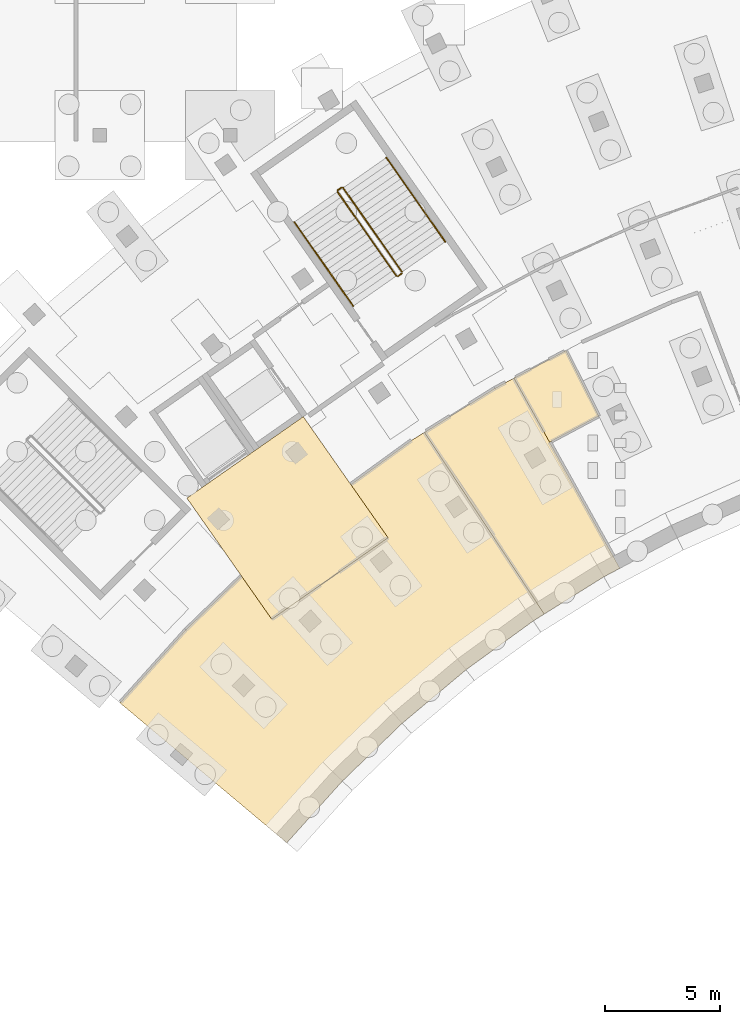
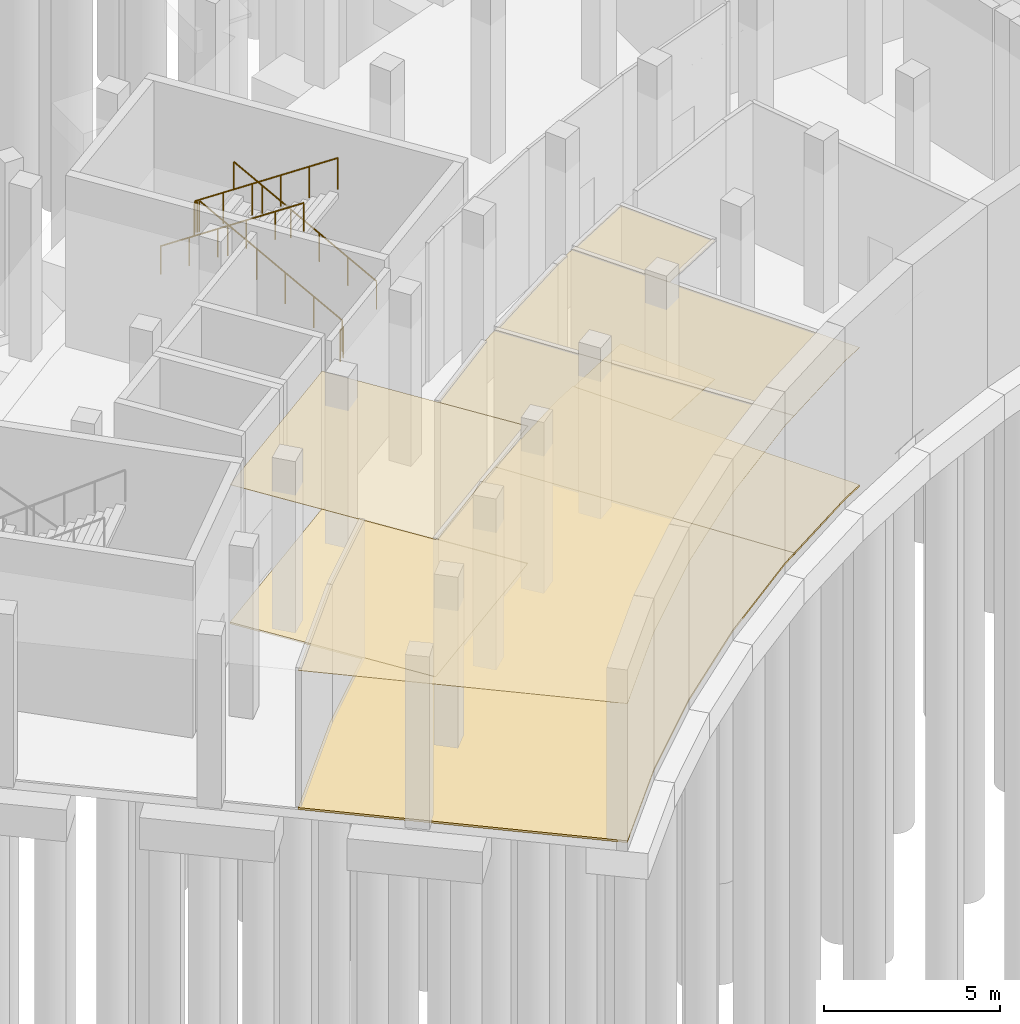
# One storey, part 37 of 66: 8 coverings, 6 railings.
"""IFC4 building model written with IfcOpenShell, lengths in metres."""

from ifc_helpers import new_model, si_unit, direction, frame, origin, origin_2d, place, context, subcontext, project, spatial, polyline, circle, outline, extrude, material, layer, layer_set, type_object, element, save


model = new_model("IFC4")

# Units and contexts
model_context = context("Model", 3, precision=1e-05, world=origin(), true_north=direction((0.0, 1.0)))
body_context = subcontext(model_context, "Body", "Model", "MODEL_VIEW")
ifc_project = project(units=[si_unit("LENGTHUNIT", "METRE"), si_unit("AREAUNIT", "SQUARE_METRE"), si_unit("VOLUMEUNIT", "CUBIC_METRE"), si_unit("PLANEANGLEUNIT", "RADIAN"), si_unit("MASSUNIT", "GRAM", prefix="KILO")], contexts=[model_context])

# Site, building, storey
site_placement = place(None, origin())
site = spatial("IfcSite", under=ifc_project, at=site_placement, CompositionType="ELEMENT")
building_placement = place(site_placement, origin())
building = spatial("IfcBuilding", under=site, at=building_placement, Name="Lunette Opera House", CompositionType="ELEMENT")
storey_placement = place(building_placement, frame((0.0, 0.0, -6.0)))
storey = spatial("IfcBuildingStorey", under=building, at=storey_placement, Name="B1", CompositionType="ELEMENT", Elevation=-6.0)

# Coverings
ifc_material_1 = material(Name="Cement screed")
ifc_layer_1 = layer(ifc_material_1, 0.070068359375)
ifc_layer_set_1 = layer_set([ifc_layer_1], Name="Cement screed")
covering_type_1 = type_object("IfcCoveringType", Name="SCREED FLOOR FINISH 70", PredefinedType="FLOORING", material=ifc_layer_set_1)
covering_1_placement = place(storey_placement, origin())
element("IfcCovering", 1, at=covering_1_placement, inside=storey, type_object=covering_type_1, Name="Floor finish Crescent Plant Room", PredefinedType="FLOORING", context=body_context, shape_type="SweptSolid", body=[
    extrude(outline(polyline([(66.922119140625, 43.110107421875), (63.986083984375, 40.97705078125), (61.205078125, 38.64404296875), (58.593994140625, 36.1220703125), (57.85498046875, 35.302001953125), (56.166015625, 33.425048828125), (52.8359375, 36.218994140625), (48.887939453125, 39.531005859375), (51.760986328125, 42.720947265625), (54.18896484375, 45.06689453125), (55.508056640625, 43.18408203125), (60.5859375, 46.739990234375), (58.9609375, 49.06103515625), (61.610107421875, 50.986083984375), (62.175048828125, 51.339111328125), (67.39990234375, 43.407958984375), (67.159912109375, 43.259033203125), (66.922119140625, 43.110107421875)])), origin(), (0.0, 0.0, 1.0), 0.070068359375),
])
covering_2_placement = place(storey_placement, origin())
element("IfcCovering", 2, at=covering_2_placement, inside=storey, type_object=covering_type_1, Name="Floor finish Refuse Store", PredefinedType="FLOORING", context=body_context, shape_type="SweptSolid", body=[
    extrude(outline(polyline([(67.39990234375, 43.407958984375), (62.175048828125, 51.339111328125), (65.25, 53.260986328125), (66.0791015625, 53.701904296875), (70.700927734375, 45.406005859375), (70.0, 45.032958984375), (67.39990234375, 43.407958984375)])), origin(), (0.0, 0.0, 1.0), 0.070068359375),
])

# Railings
ifc_material_2 = material(Name="Steel S355", Category="steel")
railing_type_1 = type_object("IfcRailingType", Name="STAIR GUARD 1100", PredefinedType="GUARDRAIL", material=ifc_material_2)
railing_1_placement = place(storey_placement, frame((61.195068359375, 58.3369140625, 0.176513671875)))
element("IfcRailing", 3, at=railing_1_placement, inside=storey, type_object=railing_type_1, Name="B1 ST2 stair guard 1", PredefinedType="GUARDRAIL", context=body_context, shape_type="SweptSolid", body=[
    extrude(circle(Radius=0.02392578125, at=origin_2d()), frame((0.0, 0.0, 1.076171875), z_axis=(-0.485196054089, 0.693031840086, 0.533190076543), x_axis=(-0.819190954639, -0.573520862601, 0.0)), (0.0, 0.0, 1.0), 5.29541015625),
    extrude(circle(Radius=0.02099609375, at=origin_2d()), origin(), (0.0, 0.0, 1.0), 1.052001953125),
    extrude(circle(Radius=0.02099609375, at=origin_2d()), frame((-0.513916015625, 0.73388671875, 0.564697265625)), (0.0, 0.0, 1.0), 1.052001953125),
    extrude(circle(Radius=0.02099609375, at=origin_2d()), frame((-1.02783203125, 1.468017578125, 1.12939453125)), (0.0, 0.0, 1.0), 1.052001953125),
    extrude(circle(Radius=0.02099609375, at=origin_2d()), frame((-1.54150390625, 2.201904296875, 1.694091796875)), (0.0, 0.0, 1.0), 1.052001953125),
    extrude(circle(Radius=0.02099609375, at=origin_2d()), frame((-2.055419921875, 2.93603515625, 2.2587890625)), (0.0, 0.0, 1.0), 1.052001953125),
    extrude(circle(Radius=0.02099609375, at=origin_2d()), frame((-2.5693359375, 3.669921875, 2.823486328125)), (0.0, 0.0, 1.0), 1.052001953125),
])
railing_2_placement = place(storey_placement, frame((58.55615234375, 62.019287109375, 3.0)))
element("IfcRailing", 4, at=railing_2_placement, inside=storey, type_object=railing_type_1, Name="B1 ST2 stair guard 2", PredefinedType="GUARDRAIL", context=body_context, shape_type="SweptSolid", body=[
    extrude(circle(Radius=0.02392578125, at=origin_2d()), frame((0.0, 0.0, 1.076171875), z_axis=(-0.819117714247, -0.573625461609, 0.0), x_axis=(0.573625461609, -0.819117714247, 0.0)), (0.0, 0.0, 1.0), 0.200927734375),
    extrude(circle(Radius=0.02099609375, at=origin_2d()), origin(), (0.0, 0.0, 1.0), 1.052001953125),
    extrude(circle(Radius=0.02099609375, at=origin_2d()), frame((-0.16455078125, -0.115234375, 0.0)), (0.0, 0.0, 1.0), 1.052001953125),
])
railing_3_placement = place(storey_placement, frame((58.37939453125, 61.83447265625, 3.176513671875)))
element("IfcRailing", 5, at=railing_3_placement, inside=storey, type_object=railing_type_1, Name="B1 ST2 stair guard 3", PredefinedType="GUARDRAIL", context=body_context, shape_type="SweptSolid", body=[
    extrude(circle(Radius=0.02392578125, at=origin_2d()), frame((0.0, 0.0, 1.076171875), z_axis=(0.485196054089, -0.693031840086, 0.533190076543), x_axis=(0.819190954639, 0.573520862601, 0.0)), (0.0, 0.0, 1.0), 5.29541015625),
    extrude(circle(Radius=0.02099609375, at=origin_2d()), origin(), (0.0, 0.0, 1.0), 1.052001953125),
    extrude(circle(Radius=0.02099609375, at=origin_2d()), frame((0.513916015625, -0.73388671875, 0.564697265625)), (0.0, 0.0, 1.0), 1.052001953125),
    extrude(circle(Radius=0.02099609375, at=origin_2d()), frame((1.02783203125, -1.468017578125, 1.12939453125)), (0.0, 0.0, 1.0), 1.052001953125),
    extrude(circle(Radius=0.02099609375, at=origin_2d()), frame((1.54150390625, -2.201904296875, 1.694091796875)), (0.0, 0.0, 1.0), 1.052001953125),
    extrude(circle(Radius=0.02099609375, at=origin_2d()), frame((2.055419921875, -2.93603515625, 2.2587890625)), (0.0, 0.0, 1.0), 1.052001953125),
    extrude(circle(Radius=0.02099609375, at=origin_2d()), frame((2.5693359375, -3.669921875, 2.823486328125)), (0.0, 0.0, 1.0), 1.052001953125),
])
railing_4_placement = place(storey_placement, frame((61.1826171875, 58.267333984375, 0.0)))
element("IfcRailing", 6, at=railing_4_placement, inside=storey, type_object=railing_type_1, Name="B1 ST2 stair guard 4", PredefinedType="GUARDRAIL", context=body_context, shape_type="SweptSolid", body=[
    extrude(circle(Radius=0.02392578125, at=origin_2d()), frame((0.0, 0.0, 1.076171875), z_axis=(-0.819289108261, -0.573380638917, 0.0), x_axis=(0.573380638917, -0.819289108261, 0.0)), (0.0, 0.0, 1.0), 0.200439453125),
    extrude(circle(Radius=0.02099609375, at=origin_2d()), origin(), (0.0, 0.0, 1.0), 1.052001953125),
    extrude(circle(Radius=0.02099609375, at=origin_2d()), frame((-0.164306640625, -0.114990234375, 0.0)), (0.0, 0.0, 1.0), 1.052001953125),
])
ifc_material_3 = material(Name="Steel S355", Category="steel")
railing_type_2 = type_object("IfcRailingType", Name="STAIR HANDRAIL 1000", PredefinedType="HANDRAIL", material=ifc_material_3)
railing_5_placement = place(storey_placement, frame((63.0791015625, 59.656005859375, 0.176513671875)))
element("IfcRailing", 7, at=railing_5_placement, inside=storey, type_object=railing_type_2, Name="B1 ST2 stair handrail 1", PredefinedType="HANDRAIL", context=body_context, shape_type="SweptSolid", body=[
    extrude(circle(Radius=0.02392578125, at=origin_2d()), frame((0.0, 0.0, 0.97607421875), z_axis=(-0.485196054089, 0.693031840086, 0.533190076543), x_axis=(-0.819190954639, -0.573520862601, 0.0)), (0.0, 0.0, 1.0), 5.29541015625),
    extrude(circle(Radius=0.02099609375, at=origin_2d()), origin(), (0.0, 0.0, 1.0), 0.951904296875),
    extrude(circle(Radius=0.02099609375, at=origin_2d()), frame((-0.513916015625, 0.73388671875, 0.564697265625)), (0.0, 0.0, 1.0), 0.951904296875),
    extrude(circle(Radius=0.02099609375, at=origin_2d()), frame((-1.02783203125, 1.468017578125, 1.12939453125)), (0.0, 0.0, 1.0), 0.951904296875),
    extrude(circle(Radius=0.02099609375, at=origin_2d()), frame((-1.54150390625, 2.201904296875, 1.694091796875)), (0.0, 0.0, 1.0), 0.951904296875),
    extrude(circle(Radius=0.02099609375, at=origin_2d()), frame((-2.055419921875, 2.93603515625, 2.2587890625)), (0.0, 0.0, 1.0), 0.951904296875),
    extrude(circle(Radius=0.02099609375, at=origin_2d()), frame((-2.5693359375, 3.669921875, 2.823486328125)), (0.0, 0.0, 1.0), 0.951904296875),
])
railing_6_placement = place(storey_placement, frame((56.495361328125, 60.515380859375, 3.176513671875)))
element("IfcRailing", 8, at=railing_6_placement, inside=storey, type_object=railing_type_2, Name="B1 ST2 stair handrail 2", PredefinedType="HANDRAIL", context=body_context, shape_type="SweptSolid", body=[
    extrude(circle(Radius=0.02392578125, at=origin_2d()), frame((0.0, 0.0, 0.97607421875), z_axis=(0.485196054089, -0.693031840086, 0.533190076543), x_axis=(0.819190954639, 0.573520862601, 0.0)), (0.0, 0.0, 1.0), 5.29541015625),
    extrude(circle(Radius=0.02099609375, at=origin_2d()), origin(), (0.0, 0.0, 1.0), 0.951904296875),
    extrude(circle(Radius=0.02099609375, at=origin_2d()), frame((0.513916015625, -0.73388671875, 0.564697265625)), (0.0, 0.0, 1.0), 0.951904296875),
    extrude(circle(Radius=0.02099609375, at=origin_2d()), frame((1.02783203125, -1.468017578125, 1.12939453125)), (0.0, 0.0, 1.0), 0.951904296875),
    extrude(circle(Radius=0.02099609375, at=origin_2d()), frame((1.54150390625, -2.201904296875, 1.694091796875)), (0.0, 0.0, 1.0), 0.951904296875),
    extrude(circle(Radius=0.02099609375, at=origin_2d()), frame((2.055419921875, -2.93603515625, 2.2587890625)), (0.0, 0.0, 1.0), 0.951904296875),
    extrude(circle(Radius=0.02099609375, at=origin_2d()), frame((2.5693359375, -3.669921875, 2.823486328125)), (0.0, 0.0, 1.0), 0.951904296875),
])

# Coverings
ifc_material_4 = material(Name="Mineral fibre board")
ifc_layer_2 = layer(ifc_material_4, 0.014892578125)
ifc_layer_set_2 = layer_set([ifc_layer_2], Name="Mineral fibre board")
covering_type_2 = type_object("IfcCoveringType", Name="SUSPENDED ACOUSTIC CEILING 15", PredefinedType="CEILING", material=ifc_layer_set_2)
covering_3_placement = place(storey_placement, frame((0.0, 0.0, 4.81494140625)))
element("IfcCovering", 9, at=covering_3_placement, inside=storey, type_object=covering_type_2, Name="Ceiling Open Lift Lobby B1 West", PredefinedType="CEILING", context=body_context, shape_type="SweptSolid", body=[
    extrude(outline(polyline([(60.5859375, 46.739990234375), (56.886962890625, 52.02392578125), (51.80810546875, 48.468017578125), (55.508056640625, 43.18408203125), (60.5859375, 46.739990234375)])), origin(), (0.0, 0.0, 1.0), 0.01513671875),
])
covering_4_placement = place(storey_placement, frame((0.0, 0.0, 4.81494140625)))
element("IfcCovering", 10, at=covering_4_placement, inside=storey, type_object=covering_type_2, Name="Ceiling Crescent Plant Room", PredefinedType="CEILING", context=body_context, shape_type="SweptSolid", body=[
    extrude(outline(polyline([(66.922119140625, 43.110107421875), (63.986083984375, 40.97705078125), (61.205078125, 38.64404296875), (58.593994140625, 36.1220703125), (57.85498046875, 35.302001953125), (56.166015625, 33.425048828125), (52.8359375, 36.218994140625), (48.887939453125, 39.531005859375), (51.760986328125, 42.720947265625), (54.18896484375, 45.06689453125), (55.508056640625, 43.18408203125), (60.5859375, 46.739990234375), (58.9609375, 49.06103515625), (61.610107421875, 50.986083984375), (62.175048828125, 51.339111328125), (67.39990234375, 43.407958984375), (67.159912109375, 43.259033203125), (66.922119140625, 43.110107421875)])), origin(), (0.0, 0.0, 1.0), 0.01513671875),
])
covering_5_placement = place(storey_placement, frame((0.0, 0.0, 4.81494140625)))
element("IfcCovering", 11, at=covering_5_placement, inside=storey, type_object=covering_type_2, Name="Ceiling Refuse Store", PredefinedType="CEILING", context=body_context, shape_type="SweptSolid", body=[
    extrude(outline(polyline([(67.39990234375, 43.407958984375), (62.175048828125, 51.339111328125), (65.25, 53.260986328125), (66.0791015625, 53.701904296875), (70.700927734375, 45.406005859375), (70.0, 45.032958984375), (67.39990234375, 43.407958984375)])), origin(), (0.0, 0.0, 1.0), 0.01513671875),
])
covering_6_placement = place(storey_placement, frame((0.0, 0.0, 4.81494140625)))
element("IfcCovering", 12, at=covering_6_placement, inside=storey, type_object=covering_type_2, Name="Ceiling Accessible WC Lower", PredefinedType="CEILING", context=body_context, shape_type="SweptSolid", body=[
    extrude(outline(polyline([(66.0791015625, 53.701904296875), (68.346923828125, 54.906982421875), (69.784912109375, 52.050048828125), (67.635986328125, 50.906982421875), (66.0791015625, 53.700927734375), (66.0791015625, 53.701904296875)])), origin(), (0.0, 0.0, 1.0), 0.01513671875),
])
ifc_material_5 = material(Name="Terrazzo")
ifc_layer_3 = layer(ifc_material_5, 0.06005859375)
ifc_layer_set_3 = layer_set([ifc_layer_3], Name="Terrazzo")
covering_type_3 = type_object("IfcCoveringType", Name="TERRAZZO FLOOR FINISH 60", PredefinedType="FLOORING", material=ifc_layer_set_3)
covering_7_placement = place(storey_placement, origin())
element("IfcCovering", 13, at=covering_7_placement, inside=storey, type_object=covering_type_3, Name="Floor finish Open Lift Lobby B1 West", PredefinedType="FLOORING", context=body_context, shape_type="SweptSolid", body=[
    extrude(outline(polyline([(60.5859375, 46.739990234375), (56.886962890625, 52.02392578125), (51.80810546875, 48.468017578125), (55.508056640625, 43.18408203125), (60.5859375, 46.739990234375)])), origin(), (0.0, 0.0, 1.0), 0.06005859375),
])
ifc_material_6 = material(Name="Ceramic tile")
ifc_layer_4 = layer(ifc_material_6, 0.02490234375)
ifc_layer_set_4 = layer_set([ifc_layer_4], Name="Ceramic tile")
covering_type_4 = type_object("IfcCoveringType", Name="TILED FLOOR FINISH 25", PredefinedType="FLOORING", material=ifc_layer_set_4)
covering_8_placement = place(storey_placement, origin())
element("IfcCovering", 14, at=covering_8_placement, inside=storey, type_object=covering_type_4, Name="Floor finish Accessible WC Lower", PredefinedType="FLOORING", context=body_context, shape_type="SweptSolid", body=[
    extrude(outline(polyline([(66.0791015625, 53.701904296875), (68.346923828125, 54.906982421875), (69.784912109375, 52.050048828125), (67.635986328125, 50.906982421875), (66.0791015625, 53.700927734375), (66.0791015625, 53.701904296875)])), origin(), (0.0, 0.0, 1.0), 0.02490234375),
])

save(model, "model.ifc")
